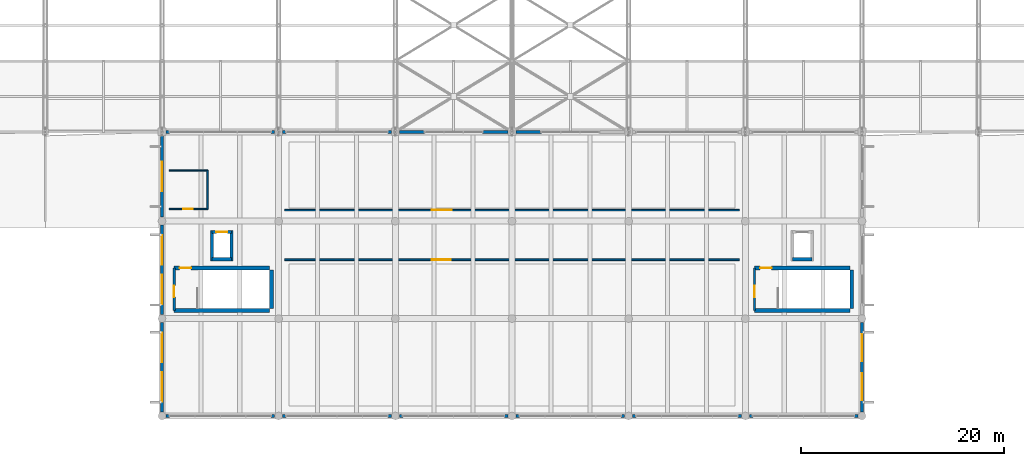
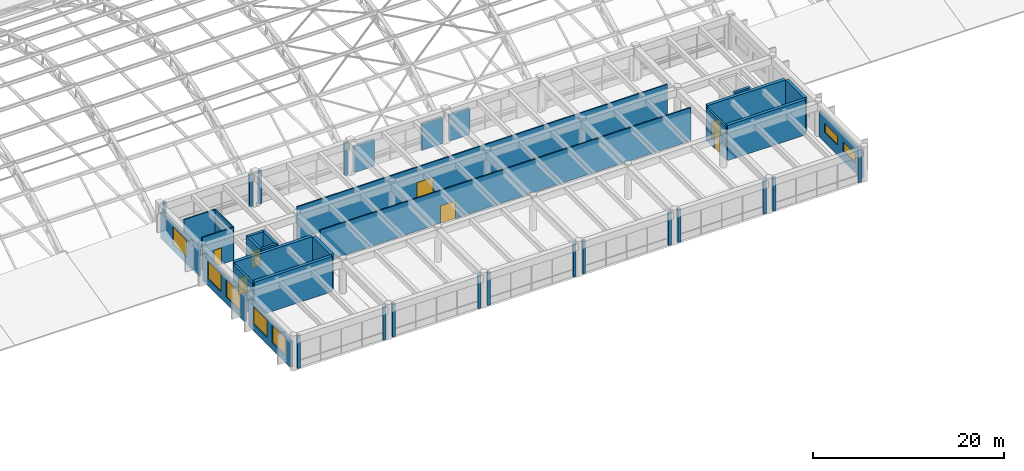
# One storey, part 135 of 154: 41 walls, 8 doors, 7 windows, 15 openings.
"""IFC4 building model written with IfcOpenShell, lengths in metres."""

from ifc_helpers import new_model, si_unit, direction, frame, frame_2d, origin, place, context, subcontext, project, spatial, rectangle, extrude, material, layer, layer_set, type_object, element, fill, save


model = new_model("IFC4")

# Units and contexts
model_context = context("Model", 3, precision=1e-05, world=origin(), true_north=direction((0.0, 1.0)))
body_context = subcontext(model_context, "Body", "Model", "MODEL_VIEW")
ifc_project = project(units=[si_unit("LENGTHUNIT", "METRE"), si_unit("AREAUNIT", "SQUARE_METRE"), si_unit("VOLUMEUNIT", "CUBIC_METRE"), si_unit("PLANEANGLEUNIT", "RADIAN"), si_unit("MASSUNIT", "GRAM", prefix="KILO")], contexts=[model_context])

# Site, building, storey
site_placement = place(None, origin())
site = spatial("IfcSite", under=ifc_project, at=site_placement, CompositionType="ELEMENT")
building_placement = place(site_placement, origin())
building = spatial("IfcBuilding", under=site, at=building_placement, Name="Ologun Quay Terminus", CompositionType="ELEMENT")
storey_placement = place(building_placement, frame((0.0, 0.0, 13.800048828125)))
storey = spatial("IfcBuildingStorey", under=building, at=storey_placement, Name="L03", CompositionType="ELEMENT", Elevation=13.800048828125)

# Wall, opening, door
ifc_material_1 = material(Name="Gypsum Acoustic Stud")
ifc_layer_1 = layer(ifc_material_1, 0.14990234375)
ifc_layer_set_1 = layer_set([ifc_layer_1], Name="Gypsum Acoustic Stud")
wall_type_1 = type_object("IfcWallType", Name="Community & Reading Room Partition 150", PredefinedType="PARTITIONING", material=ifc_layer_set_1)
wall_1_placement = place(storey_placement, frame((69.60009765625, 23.39990234375, 0.0), z_axis=(0.0, 0.0, 1.0), x_axis=(1.0, 0.0, 0.0)))
wall_1 = element("IfcWall", 1, at=wall_1_placement, inside=storey, type_object=wall_type_1, Name="PW-05 Partition L03-ReadingRoom-N", PredefinedType="PARTITIONING", context=body_context, shape_type="SweptSolid", body=[
    extrude(rectangle(XDim=44.7998046875, YDim=0.14990234375, at=frame_2d((22.39990234375, 0.0))), origin(), (0.0, 0.0, 1.0), 4.219970703125),
])
opening_1_placement = place(wall_1_placement, frame((14.5, 0.0, 0.0)))
opening_1 = element("IfcOpeningElement", 2, at=opening_1_placement, cuts=wall_1, Name="Opening ID-323", PredefinedType="OPENING", context=body_context, shape_type="SweptSolid", body=[
    extrude(rectangle(XDim=1.85009765625, YDim=2.25, at=frame_2d((0.925048828125, 1.125))), frame((0.0, 0.0849609375, 0.0), z_axis=(0.0, -1.0, 0.0), x_axis=(1.0, 0.0, 0.0)), (0.0, 0.0, 1.0), 0.169921875),
])
ifc_material_2 = material(Name="Glass", Category="glass")
door_type_1 = type_object("IfcDoorType", Name="Reading Room Glazed Pair 1850x2250", OperationType="DOUBLE_DOOR_SINGLE_SWING", PredefinedType="DOOR", material=ifc_material_2)
door_1_placement = place(opening_1_placement, origin())
door_1 = element("IfcDoor", 3, at=door_1_placement, inside=storey, type_object=door_type_1, Name="ID-11 Door ID-323", OperationType="DOUBLE_DOOR_SINGLE_SWING", OverallHeight=2.25, OverallWidth=1.85009765625, PredefinedType="DOOR", context=body_context, shape_type="SweptSolid", body=[
    extrude(rectangle(XDim=1.85009765625, YDim=2.25, at=frame_2d((0.925048828125, 1.125))), frame((0.0, 0.02490234375, 0.0), z_axis=(0.0, -1.0, 0.0), x_axis=(1.0, 0.0, 0.0)), (0.0, 0.0, 1.0), 0.050048828125),
])
fill(opening_1, door_1)

wall_2_placement = place(storey_placement, frame((69.60009765625, 28.300048828125, 0.0), z_axis=(0.0, 0.0, 1.0), x_axis=(1.0, 0.0, 0.0)))
wall_2 = element("IfcWall", 4, at=wall_2_placement, inside=storey, type_object=wall_type_1, Name="PW-05 Partition L03-LectureRoom-S", PredefinedType="PARTITIONING", context=body_context, shape_type="SweptSolid", body=[
    extrude(rectangle(XDim=44.7998046875, YDim=0.14990234375, at=frame_2d((22.39990234375, 0.0))), origin(), (0.0, 0.0, 1.0), 4.219970703125),
])
opening_2_placement = place(wall_2_placement, frame((14.5, 0.0, 0.0)))
opening_2 = element("IfcOpeningElement", 5, at=opening_2_placement, cuts=wall_2, Name="Opening ID-324", PredefinedType="OPENING", context=body_context, shape_type="SweptSolid", body=[
    extrude(rectangle(XDim=1.949951171875, YDim=2.25, at=frame_2d((0.97509765625, 1.125))), frame((0.0, 0.0849609375, 0.0), z_axis=(0.0, -1.0, 0.0), x_axis=(1.0, 0.0, 0.0)), (0.0, 0.0, 1.0), 0.169921875),
])
ifc_material_3 = material(Name="Timber Hardwood", Category="wood")
door_type_2 = type_object("IfcDoorType", Name="Lecture Room Acoustic Pair 1950x2250", OperationType="DOUBLE_DOOR_SINGLE_SWING", PredefinedType="DOOR", material=ifc_material_3)
door_2_placement = place(opening_2_placement, origin())
door_2 = element("IfcDoor", 6, at=door_2_placement, inside=storey, type_object=door_type_2, Name="ID-12 Door ID-324", OperationType="DOUBLE_DOOR_SINGLE_SWING", OverallHeight=2.25, OverallWidth=1.949951171875, PredefinedType="DOOR", context=body_context, shape_type="SweptSolid", body=[
    extrude(rectangle(XDim=1.949951171875, YDim=2.25, at=frame_2d((0.97509765625, 1.125))), frame((0.0, 0.02490234375, 0.0), z_axis=(0.0, -1.0, 0.0), x_axis=(1.0, 0.0, 0.0)), (0.0, 0.0, 1.0), 0.050048828125),
])
fill(opening_2, door_2)

# Walls
ifc_material_4 = material(Name="Concrete C40/50", Category="concrete")
ifc_layer_2 = layer(ifc_material_4, 0.280029296875)
ifc_layer_set_2 = layer_set([ifc_layer_2], Name="Concrete C40/50")
wall_type_2 = type_object("IfcWallType", Name="Courtyard Wing Spandrel Concrete Wall 280", PredefinedType="SOLIDWALL", material=ifc_layer_set_2)
for number, where, z_axis, x_axis, name in (
    (7, (57.89501953125, 8.0, 0.0), (0.0, 0.0, 1.0), (1.0, 0.0, 0.0), "Curtain Wall Jamb Pier CW-L03-034-J1"),
    (8, (68.2548828125, 8.0, 0.0), (0.0, 0.0, 1.0), (1.0, 0.0, 0.0), "Curtain Wall Jamb Pier CW-L03-034-J2"),
    (9, (69.39501953125, 8.0, 0.0), (0.0, 0.0, 1.0), (1.0, 0.0, 0.0), "Curtain Wall Jamb Pier CW-L03-035-J1"),
    (10, (79.7548828125, 8.0, 0.0), (0.0, 0.0, 1.0), (1.0, 0.0, 0.0), "Curtain Wall Jamb Pier CW-L03-035-J2"),
    (11, (80.89501953125, 8.0, 0.0), (0.0, 0.0, 1.0), (1.0, 0.0, 0.0), "Curtain Wall Jamb Pier CW-L03-036-J1"),
    (12, (91.2548828125, 8.0, 0.0), (0.0, 0.0, 1.0), (1.0, 0.0, 0.0), "Curtain Wall Jamb Pier CW-L03-036-J2"),
    (13, (92.39501953125, 8.0, 0.0), (0.0, 0.0, 1.0), (1.0, 0.0, 0.0), "Curtain Wall Jamb Pier CW-L03-037-J1"),
    (14, (102.7548828125, 8.0, 0.0), (0.0, 0.0, 1.0), (1.0, 0.0, 0.0), "Curtain Wall Jamb Pier CW-L03-037-J2"),
    (15, (103.89501953125, 8.0, 0.0), (0.0, 0.0, 1.0), (1.0, 0.0, 0.0), "Curtain Wall Jamb Pier CW-L03-038-J1"),
    (16, (114.2548828125, 8.0, 0.0), (0.0, 0.0, 1.0), (1.0, 0.0, 0.0), "Curtain Wall Jamb Pier CW-L03-038-J2"),
    (17, (115.39501953125, 8.0, 0.0), (0.0, 0.0, 1.0), (1.0, 0.0, 0.0), "Curtain Wall Jamb Pier CW-L03-039-J1"),
    (18, (125.7548828125, 8.0, 0.0), (0.0, 0.0, 1.0), (1.0, 0.0, 0.0), "Curtain Wall Jamb Pier CW-L03-039-J2"),
):
    element("IfcWall", number, at=place(storey_placement, frame(where, z_axis=z_axis, x_axis=x_axis)), inside=storey, type_object=wall_type_2, Name=name, PredefinedType="SOLIDWALL", context=body_context, shape_type="SweptSolid", body=[
        extrude(rectangle(XDim=0.35009765625, YDim=0.280029296875, at=frame_2d((0.175048828125, 0.0))), origin(), (0.0, 0.0, 1.0), 4.239990234375),
    ])

# Wall, openings, windows
wall_3_placement = place(storey_placement, frame((126.5, 8.39501953125, 0.0), z_axis=(0.0, 0.0, 1.0), x_axis=(0.0, 1.0, 0.0)))
wall_3 = element("IfcWall", 19, at=wall_3_placement, inside=storey, type_object=wall_type_2, Name="EW-02 Facade Wall WEW-SA-L03-1-7", PredefinedType="SOLIDWALL", context=body_context, shape_type="SweptSolid", body=[
    extrude(rectangle(XDim=8.81005859375, YDim=0.280029296875, at=frame_2d((4.405029296875, 0.0))), origin(), (0.0, 0.0, 1.0), 3.349853515625),
])
opening_3_placement = place(wall_3_placement, frame((1.169921875, 0.0, 1.25)))
opening_3 = element("IfcOpeningElement", 20, at=opening_3_placement, cuts=wall_3, Name="Opening WN-093", PredefinedType="OPENING", context=body_context, shape_type="SweptSolid", body=[
    extrude(rectangle(XDim=2.64990234375, YDim=1.14990234375, at=frame_2d((1.324951171875, 0.574951171875))), frame((0.0, 0.14990234375, 0.0), z_axis=(0.0, -1.0, 0.0), x_axis=(1.0, 0.0, 0.0)), (0.0, 0.0, 1.0), 0.300048828125),
])
opening_4_placement = place(wall_3_placement, frame((4.989990234375, 0.0, 1.25)))
opening_4 = element("IfcOpeningElement", 21, at=opening_4_placement, cuts=wall_3, Name="Opening WN-094", PredefinedType="OPENING", context=body_context, shape_type="SweptSolid", body=[
    extrude(rectangle(XDim=2.64990234375, YDim=1.14990234375, at=frame_2d((1.324951171875, 0.574951171875))), frame((0.0, 0.14990234375, 0.0), z_axis=(0.0, -1.0, 0.0), x_axis=(1.0, 0.0, 0.0)), (0.0, 0.0, 1.0), 0.300048828125),
])
ifc_material_5 = material(Name="Glass", Category="glass")
window_type_1 = type_object("IfcWindowType", Name="Lecture Room Acoustic Clerestory 2650x1150", PartitioningType="SINGLE_PANEL", PredefinedType="LIGHTDOME", material=ifc_material_5)
window_1_placement = place(opening_3_placement, origin())
window_1 = element("IfcWindow", 22, at=window_1_placement, inside=storey, type_object=window_type_1, Name="W-28 Window WN-093", OverallHeight=1.14990234375, OverallWidth=2.64990234375, PartitioningType="SINGLE_PANEL", PredefinedType="LIGHTDOME", context=body_context, shape_type="SweptSolid", body=[
    extrude(rectangle(XDim=2.64990234375, YDim=1.14990234375, at=frame_2d((1.324951171875, 0.574951171875))), frame((0.0, 0.030029296875, 0.0), z_axis=(0.0, -1.0, 0.0), x_axis=(1.0, 0.0, 0.0)), (0.0, 0.0, 1.0), 0.06005859375),
])
fill(opening_3, window_1)
window_2_placement = place(opening_4_placement, origin())
window_2 = element("IfcWindow", 23, at=window_2_placement, inside=storey, type_object=window_type_1, Name="W-28 Window WN-094", OverallHeight=1.14990234375, OverallWidth=2.64990234375, PartitioningType="SINGLE_PANEL", PredefinedType="LIGHTDOME", context=body_context, shape_type="SweptSolid", body=[
    extrude(rectangle(XDim=2.64990234375, YDim=1.14990234375, at=frame_2d((1.324951171875, 0.574951171875))), frame((0.0, 0.030029296875, 0.0), z_axis=(0.0, -1.0, 0.0), x_axis=(1.0, 0.0, 0.0)), (0.0, 0.0, 1.0), 0.06005859375),
])
fill(opening_4, window_2)

# Walls
for number, where, z_axis, x_axis, name in (
    (24, (57.89501953125, 36.0, 0.0), (0.0, 0.0, 1.0), (1.0, 0.0, 0.0), "Curtain Wall Jamb Pier CW-L03-040-J1"),
    (25, (68.2548828125, 36.0, 0.0), (0.0, 0.0, 1.0), (1.0, 0.0, 0.0), "Curtain Wall Jamb Pier CW-L03-040-J2"),
    (26, (69.39501953125, 36.0, 0.0), (0.0, 0.0, 1.0), (1.0, 0.0, 0.0), "Curtain Wall Jamb Pier CW-L03-041-J1"),
    (27, (79.7548828125, 36.0, 0.0), (0.0, 0.0, 1.0), (1.0, 0.0, 0.0), "Curtain Wall Jamb Pier CW-L03-041-J2"),
):
    element("IfcWall", number, at=place(storey_placement, frame(where, z_axis=z_axis, x_axis=x_axis)), inside=storey, type_object=wall_type_2, Name=name, PredefinedType="SOLIDWALL", context=body_context, shape_type="SweptSolid", body=[
        extrude(rectangle(XDim=0.35009765625, YDim=0.280029296875, at=frame_2d((0.175048828125, 0.0))), origin(), (0.0, 0.0, 1.0), 4.239990234375),
    ])
for number, where, z_axis, x_axis, name in (
    (28, (80.89501953125, 36.0, 0.0), (0.0, 0.0, 1.0), (1.0, 0.0, 0.0), "Curtain Wall Jamb Pier CW-L03-042-J1"),
    (29, (89.10498046875, 36.0, 0.0), (0.0, 0.0, 1.0), (1.0, 0.0, 0.0), "Curtain Wall Jamb Pier CW-L03-042-J2"),
    (30, (92.39501953125, 36.0, 0.0), (0.0, 0.0, 1.0), (1.0, 0.0, 0.0), "Curtain Wall Jamb Pier CW-L03-043-J1"),
):
    element("IfcWall", number, at=place(storey_placement, frame(where, z_axis=z_axis, x_axis=x_axis)), inside=storey, type_object=wall_type_2, Name=name, PredefinedType="SOLIDWALL", context=body_context, shape_type="SweptSolid", body=[
        extrude(rectangle(XDim=2.5, YDim=0.280029296875, at=frame_2d((1.25, 0.0))), origin(), (0.0, 0.0, 1.0), 3.349853515625),
    ])

# Wall, openings, windows
wall_4_placement = place(storey_placement, frame((57.5, 8.39501953125, 0.0), z_axis=(0.0, 0.0, 1.0), x_axis=(0.0, 1.0, 0.0)))
wall_4 = element("IfcWall", 31, at=wall_4_placement, inside=storey, type_object=wall_type_2, Name="EW-02 Facade Wall WEW-SA-L03-1-16", PredefinedType="SOLIDWALL", context=body_context, shape_type="SweptSolid", body=[
    extrude(rectangle(XDim=8.81005859375, YDim=0.280029296875, at=frame_2d((4.405029296875, 0.0))), origin(), (0.0, 0.0, 1.0), 3.349853515625),
])
opening_5_placement = place(wall_4_placement, frame((1.00341796875, 0.0, 0.85009765625)))
opening_5 = element("IfcOpeningElement", 32, at=opening_5_placement, cuts=wall_4, Name="Opening WN-099", PredefinedType="OPENING", context=body_context, shape_type="SweptSolid", body=[
    extrude(rectangle(XDim=2.89990234375, YDim=2.25, at=frame_2d((1.449951171875, 1.125))), frame((0.0, 0.14990234375, 0.0), z_axis=(0.0, -1.0, 0.0), x_axis=(1.0, 0.0, 0.0)), (0.0, 0.0, 1.0), 0.300048828125),
])
opening_6_placement = place(wall_4_placement, frame((4.90673828125, 0.0, 0.85009765625)))
opening_6 = element("IfcOpeningElement", 33, at=opening_6_placement, cuts=wall_4, Name="Opening WN-100", PredefinedType="OPENING", context=body_context, shape_type="SweptSolid", body=[
    extrude(rectangle(XDim=2.89990234375, YDim=2.25, at=frame_2d((1.449951171875, 1.125))), frame((0.0, 0.14990234375, 0.0), z_axis=(0.0, -1.0, 0.0), x_axis=(1.0, 0.0, 0.0)), (0.0, 0.0, 1.0), 0.300048828125),
])
ifc_material_6 = material(Name="Glass", Category="glass")
window_type_2 = type_object("IfcWindowType", Name="Reading Room Northlight Window 2900x2250", PartitioningType="SINGLE_PANEL", PredefinedType="WINDOW", material=ifc_material_6)
window_3_placement = place(opening_5_placement, origin())
window_3 = element("IfcWindow", 34, at=window_3_placement, inside=storey, type_object=window_type_2, Name="W-27 Window WN-099", OverallHeight=2.25, OverallWidth=2.89990234375, PartitioningType="SINGLE_PANEL", PredefinedType="WINDOW", context=body_context, shape_type="SweptSolid", body=[
    extrude(rectangle(XDim=2.89990234375, YDim=2.25, at=frame_2d((1.449951171875, 1.125))), frame((0.0, 0.030029296875, 0.0), z_axis=(0.0, -1.0, 0.0), x_axis=(1.0, 0.0, 0.0)), (0.0, 0.0, 1.0), 0.06005859375),
])
fill(opening_5, window_3)
window_4_placement = place(opening_6_placement, origin())
window_4 = element("IfcWindow", 35, at=window_4_placement, inside=storey, type_object=window_type_2, Name="W-27 Window WN-100", OverallHeight=2.25, OverallWidth=2.89990234375, PartitioningType="SINGLE_PANEL", PredefinedType="WINDOW", context=body_context, shape_type="SweptSolid", body=[
    extrude(rectangle(XDim=2.89990234375, YDim=2.25, at=frame_2d((1.449951171875, 1.125))), frame((0.0, 0.030029296875, 0.0), z_axis=(0.0, -1.0, 0.0), x_axis=(1.0, 0.0, 0.0)), (0.0, 0.0, 1.0), 0.06005859375),
])
fill(opening_6, window_4)

wall_5_placement = place(storey_placement, frame((57.5, 17.9951171875, 0.0), z_axis=(0.0, 0.0, 1.0), x_axis=(0.0, 1.0, 0.0)))
wall_5 = element("IfcWall", 36, at=wall_5_placement, inside=storey, type_object=wall_type_2, Name="EW-02 Facade Wall WEW-SA-L03-1-17", PredefinedType="SOLIDWALL", context=body_context, shape_type="SweptSolid", body=[
    extrude(rectangle(XDim=8.809814453125, YDim=0.280029296875, at=frame_2d((4.40478515625, 0.0))), origin(), (0.0, 0.0, 1.0), 3.349853515625),
])
opening_7_placement = place(wall_5_placement, frame((1.00341796875, 0.0, 0.85009765625)))
opening_7 = element("IfcOpeningElement", 37, at=opening_7_placement, cuts=wall_5, Name="Opening WN-101", PredefinedType="OPENING", context=body_context, shape_type="SweptSolid", body=[
    extrude(rectangle(XDim=2.89990234375, YDim=2.25, at=frame_2d((1.449951171875, 1.125))), frame((0.0, 0.14990234375, 0.0), z_axis=(0.0, -1.0, 0.0), x_axis=(1.0, 0.0, 0.0)), (0.0, 0.0, 1.0), 0.300048828125),
])
opening_8_placement = place(wall_5_placement, frame((4.90673828125, 0.0, 0.85009765625)))
opening_8 = element("IfcOpeningElement", 38, at=opening_8_placement, cuts=wall_5, Name="Opening WN-102", PredefinedType="OPENING", context=body_context, shape_type="SweptSolid", body=[
    extrude(rectangle(XDim=2.89990234375, YDim=2.25, at=frame_2d((1.449951171875, 1.125))), frame((0.0, 0.14990234375, 0.0), z_axis=(0.0, -1.0, 0.0), x_axis=(1.0, 0.0, 0.0)), (0.0, 0.0, 1.0), 0.300048828125),
])
window_5_placement = place(opening_7_placement, origin())
window_5 = element("IfcWindow", 39, at=window_5_placement, inside=storey, type_object=window_type_2, Name="W-27 Window WN-101", OverallHeight=2.25, OverallWidth=2.89990234375, PartitioningType="SINGLE_PANEL", PredefinedType="WINDOW", context=body_context, shape_type="SweptSolid", body=[
    extrude(rectangle(XDim=2.89990234375, YDim=2.25, at=frame_2d((1.449951171875, 1.125))), frame((0.0, 0.030029296875, 0.0), z_axis=(0.0, -1.0, 0.0), x_axis=(1.0, 0.0, 0.0)), (0.0, 0.0, 1.0), 0.06005859375),
])
fill(opening_7, window_5)
window_6_placement = place(opening_8_placement, origin())
window_6 = element("IfcWindow", 40, at=window_6_placement, inside=storey, type_object=window_type_2, Name="W-27 Window WN-102", OverallHeight=2.25, OverallWidth=2.89990234375, PartitioningType="SINGLE_PANEL", PredefinedType="WINDOW", context=body_context, shape_type="SweptSolid", body=[
    extrude(rectangle(XDim=2.89990234375, YDim=2.25, at=frame_2d((1.449951171875, 1.125))), frame((0.0, 0.030029296875, 0.0), z_axis=(0.0, -1.0, 0.0), x_axis=(1.0, 0.0, 0.0)), (0.0, 0.0, 1.0), 0.06005859375),
])
fill(opening_8, window_6)

# Wall, opening, window
wall_6_placement = place(storey_placement, frame((57.5, 27.594970703125, 0.0), z_axis=(0.0, 0.0, 1.0), x_axis=(0.0, 1.0, 0.0)))
wall_6 = element("IfcWall", 41, at=wall_6_placement, inside=storey, type_object=wall_type_2, Name="EW-02 Facade Wall WEW-SA-L03-1-18", PredefinedType="SOLIDWALL", context=body_context, shape_type="SweptSolid", body=[
    extrude(rectangle(XDim=8.010009765625, YDim=0.280029296875, at=frame_2d((4.0048828125, 0.0))), origin(), (0.0, 0.0, 1.0), 3.349853515625),
])
opening_9_placement = place(wall_6_placement, frame((2.554931640625, 0.0, 0.85009765625)))
opening_9 = element("IfcOpeningElement", 42, at=opening_9_placement, cuts=wall_6, Name="Opening WN-103", PredefinedType="OPENING", context=body_context, shape_type="SweptSolid", body=[
    extrude(rectangle(XDim=2.89990234375, YDim=2.25, at=frame_2d((1.449951171875, 1.125))), frame((0.0, 0.14990234375, 0.0), z_axis=(0.0, -1.0, 0.0), x_axis=(1.0, 0.0, 0.0)), (0.0, 0.0, 1.0), 0.300048828125),
])
window_7_placement = place(opening_9_placement, origin())
window_7 = element("IfcWindow", 43, at=window_7_placement, inside=storey, type_object=window_type_2, Name="W-27 Window WN-103", OverallHeight=2.25, OverallWidth=2.89990234375, PartitioningType="SINGLE_PANEL", PredefinedType="WINDOW", context=body_context, shape_type="SweptSolid", body=[
    extrude(rectangle(XDim=2.89990234375, YDim=2.25, at=frame_2d((1.449951171875, 1.125))), frame((0.0, 0.030029296875, 0.0), z_axis=(0.0, -1.0, 0.0), x_axis=(1.0, 0.0, 0.0)), (0.0, 0.0, 1.0), 0.06005859375),
])
fill(opening_9, window_7)

# Wall, opening, door
ifc_material_7 = material(Name="Concrete C40/50", Category="concrete")
ifc_layer_3 = layer(ifc_material_7, 0.239990234375)
ifc_layer_set_3 = layer_set([ifc_layer_3], Name="Concrete C40/50")
wall_type_3 = type_object("IfcWallType", Name="Fire Compartment Blockwork Wall 240", PredefinedType="SOLIDWALL", material=ifc_layer_set_3)
wall_7_placement = place(storey_placement, frame((58.699951171875, 18.419921875, 0.0), z_axis=(0.0, 0.0, 1.0), x_axis=(0.0, 1.0, 0.0)))
wall_7 = element("IfcWall", 44, at=wall_7_placement, inside=storey, type_object=wall_type_3, Name="PW-01 Partition ST-S3-W", PredefinedType="SOLIDWALL", context=body_context, shape_type="SweptSolid", body=[
    extrude(rectangle(XDim=4.16015625, YDim=0.239990234375, at=frame_2d((2.080078125, 0.0))), origin(), (0.0, 0.0, 1.0), 4.219970703125),
])
opening_10_placement = place(wall_7_placement, frame((1.300048828125, 0.0, 0.0)))
opening_10 = element("IfcOpeningElement", 45, at=opening_10_placement, cuts=wall_7, Name="Opening ID-259", PredefinedType="OPENING", context=body_context, shape_type="SweptSolid", body=[
    extrude(rectangle(XDim=1.1298828125, YDim=2.14990234375, at=frame_2d((0.56494140625, 1.074951171875))), frame((0.0, 0.1298828125, 0.0), z_axis=(0.0, -1.0, 0.0), x_axis=(1.0, 0.0, 0.0)), (0.0, 0.0, 1.0), 0.260009765625),
])
ifc_material_8 = material(Name="Steel S355", Category="steel")
door_type_3 = type_object("IfcDoorType", Name="Stairwell Fire Escape Door 1130x2150", OperationType="SINGLE_SWING_LEFT", PredefinedType="DOOR", material=ifc_material_8)
door_3_placement = place(opening_10_placement, frame((0.56494140625, 0.0, 0.0), z_axis=(0.0, 0.0, 1.0), x_axis=(-1.0, 0.0, 0.0)))
door_3 = element("IfcDoor", 46, at=door_3_placement, inside=storey, type_object=door_type_3, Name="FD-01 Door ID-259", OperationType="SINGLE_SWING_LEFT", OverallHeight=2.14990234375, OverallWidth=1.1298828125, PredefinedType="DOOR", context=body_context, shape_type="SweptSolid", body=[
    extrude(rectangle(XDim=1.1298828125, YDim=2.14990234375, at=frame_2d((0.0, 1.074951171875))), frame((0.0, 0.02490234375, 0.0), z_axis=(0.0, -1.0, 0.0), x_axis=(1.0, 0.0, 0.0)), (0.0, 0.0, 1.0), 0.050048828125),
])
fill(opening_10, door_3)

wall_8_placement = place(storey_placement, frame((115.89990234375, 18.419921875, 0.0), z_axis=(0.0, 0.0, 1.0), x_axis=(0.0, 1.0, 0.0)))
wall_8 = element("IfcWall", 47, at=wall_8_placement, inside=storey, type_object=wall_type_3, Name="PW-01 Partition ST-S4-W", PredefinedType="SOLIDWALL", context=body_context, shape_type="SweptSolid", body=[
    extrude(rectangle(XDim=4.16015625, YDim=0.239990234375, at=frame_2d((2.080078125, 0.0))), origin(), (0.0, 0.0, 1.0), 4.219970703125),
])
opening_11_placement = place(wall_8_placement, frame((1.300048828125, 0.0, 0.0)))
opening_11 = element("IfcOpeningElement", 48, at=opening_11_placement, cuts=wall_8, Name="Opening ID-272", PredefinedType="OPENING", context=body_context, shape_type="SweptSolid", body=[
    extrude(rectangle(XDim=1.1298828125, YDim=2.14990234375, at=frame_2d((0.56494140625, 1.074951171875))), frame((0.0, 0.1298828125, 0.0), z_axis=(0.0, -1.0, 0.0), x_axis=(1.0, 0.0, 0.0)), (0.0, 0.0, 1.0), 0.260009765625),
])
door_4_placement = place(opening_11_placement, frame((0.56494140625, 0.0, 0.0), z_axis=(0.0, 0.0, 1.0), x_axis=(-1.0, 0.0, 0.0)))
door_4 = element("IfcDoor", 49, at=door_4_placement, inside=storey, type_object=door_type_3, Name="FD-01 Door ID-272", OperationType="SINGLE_SWING_LEFT", OverallHeight=2.14990234375, OverallWidth=1.1298828125, PredefinedType="DOOR", context=body_context, shape_type="SweptSolid", body=[
    extrude(rectangle(XDim=1.1298828125, YDim=2.14990234375, at=frame_2d((0.0, 1.074951171875))), frame((0.0, 0.02490234375, 0.0), z_axis=(0.0, -1.0, 0.0), x_axis=(1.0, 0.0, 0.0)), (0.0, 0.0, 1.0), 0.050048828125),
])
fill(opening_11, door_4)

# Wall
ifc_material_9 = material(Name="Concrete C40/50", Category="concrete")
ifc_layer_4 = layer(ifc_material_9, 0.300048828125)
ifc_layer_set_4 = layer_set([ifc_layer_4], Name="Concrete C40/50")
wall_type_4 = type_object("IfcWallType", Name="Lift Shaft Structural Shear Wall 300", PredefinedType="SHEAR", material=ifc_layer_set_4)
wall_9_placement = place(storey_placement, frame((62.449951171875, 23.449951171875, 0.0), z_axis=(0.0, 0.0, 1.0), x_axis=(1.0, 0.0, 0.0)))
element("IfcWall", 50, at=wall_9_placement, inside=storey, type_object=wall_type_4, Name="Lift PL-S1 Shaft Wall S L03", PredefinedType="SHEAR", context=body_context, shape_type="SweptSolid", body=[
    extrude(rectangle(XDim=1.900146484375, YDim=0.300048828125, at=frame_2d((0.9501953125, 0.0))), origin(), (0.0, 0.0, 1.0), 4.300048828125),
])

# Wall, opening, door
wall_10_placement = place(storey_placement, frame((62.449951171875, 26.14990234375, 0.0), z_axis=(0.0, 0.0, 1.0), x_axis=(1.0, 0.0, 0.0)))
wall_10 = element("IfcWall", 51, at=wall_10_placement, inside=storey, type_object=wall_type_4, Name="Lift PL-S1 Shaft Wall N L03", PredefinedType="SHEAR", context=body_context, shape_type="SweptSolid", body=[
    extrude(rectangle(XDim=1.900146484375, YDim=0.300048828125, at=frame_2d((0.9501953125, 0.0))), origin(), (0.0, 0.0, 1.0), 4.300048828125),
])
opening_12_placement = place(wall_10_placement, frame((0.39990234375, 0.0, 0.0)))
opening_12 = element("IfcOpeningElement", 52, at=opening_12_placement, cuts=wall_10, Name="Opening ID-051", PredefinedType="OPENING", context=body_context, shape_type="SweptSolid", body=[
    extrude(rectangle(XDim=1.10009765625, YDim=2.14990234375, at=frame_2d((0.550048828125, 1.074951171875))), frame((0.0, 0.16015625, 0.0), z_axis=(0.0, -1.0, 0.0), x_axis=(1.0, 0.0, 0.0)), (0.0, 0.0, 1.0), 0.320068359375),
])
ifc_material_10 = material(Name="Steel S355", Category="steel")
door_type_4 = type_object("IfcDoorType", Name="Lift Landing Sliding Door 1100x2150", OperationType="SLIDING_TO_LEFT", PredefinedType="DOOR", material=ifc_material_10)
door_5_placement = place(opening_12_placement, origin())
door_5 = element("IfcDoor", 53, at=door_5_placement, inside=storey, type_object=door_type_4, Name="LD-01 Door ID-051", OperationType="SLIDING_TO_LEFT", OverallHeight=2.14990234375, OverallWidth=1.10009765625, PredefinedType="DOOR", context=body_context, shape_type="SweptSolid", body=[
    extrude(rectangle(XDim=1.10009765625, YDim=2.14990234375, at=frame_2d((0.550048828125, 1.074951171875))), frame((0.0, 0.02490234375, 0.0), z_axis=(0.0, -1.0, 0.0), x_axis=(1.0, 0.0, 0.0)), (0.0, 0.0, 1.0), 0.050048828125),
])
fill(opening_12, door_5)

# Walls
for number, where, z_axis, x_axis, name in (
    (54, (62.449951171875, 23.300048828125, 0.0), (0.0, 0.0, 1.0), (0.0, 1.0, 0.0), "Lift PL-S1 Shaft Wall W L03"),
    (55, (64.35009765625, 23.300048828125, 0.0), (0.0, 0.0, 1.0), (0.0, 1.0, 0.0), "Lift PL-S1 Shaft Wall E L03"),
):
    element("IfcWall", number, at=place(storey_placement, frame(where, z_axis=z_axis, x_axis=x_axis)), inside=storey, type_object=wall_type_4, Name=name, PredefinedType="SHEAR", context=body_context, shape_type="SweptSolid", body=[
        extrude(rectangle(XDim=3.0, YDim=0.300048828125, at=frame_2d((1.5, 0.0))), origin(), (0.0, 0.0, 1.0), 4.300048828125),
    ])
wall_11_placement = place(storey_placement, frame((119.64990234375, 23.449951171875, 0.0), z_axis=(0.0, 0.0, 1.0), x_axis=(1.0, 0.0, 0.0)))
element("IfcWall", 56, at=wall_11_placement, inside=storey, type_object=wall_type_4, Name="Lift PL-S2 Shaft Wall S L03", PredefinedType="SHEAR", context=body_context, shape_type="SweptSolid", body=[
    extrude(rectangle(XDim=1.900146484375, YDim=0.300048828125, at=frame_2d((0.9501953125, 0.0))), origin(), (0.0, 0.0, 1.0), 4.300048828125),
])
ifc_material_11 = material(Name="Concrete C40/50", Category="concrete")
ifc_layer_5 = layer(ifc_material_11, 0.3798828125)
ifc_layer_set_5 = layer_set([ifc_layer_5], Name="Concrete C40/50")
wall_type_5 = type_object("IfcWallType", Name="Platform Spine Shear Wall 380", PredefinedType="SHEAR", material=ifc_layer_set_5)
wall_12_placement = place(storey_placement, frame((58.699951171875, 18.409912109375, 0.0), z_axis=(0.0, 0.0, 1.0), x_axis=(1.0, 0.0, 0.0)))
element("IfcWall", 57, at=wall_12_placement, inside=storey, type_object=wall_type_5, Name="Station Core 3 S Shear Wall L03", PredefinedType="SHEAR", context=body_context, shape_type="SweptSolid", body=[
    extrude(rectangle(XDim=9.400146484375, YDim=0.3798828125, at=frame_2d((4.7001953125, 0.0))), origin(), (0.0, 0.0, 1.0), 4.5),
])

# Wall, opening, door
wall_13_placement = place(storey_placement, frame((58.699951171875, 22.590087890625, 0.0), z_axis=(0.0, 0.0, 1.0), x_axis=(1.0, 0.0, 0.0)))
wall_13 = element("IfcWall", 58, at=wall_13_placement, inside=storey, type_object=wall_type_5, Name="Station Core 3 N Shear Wall L03", PredefinedType="SHEAR", context=body_context, shape_type="SweptSolid", body=[
    extrude(rectangle(XDim=9.400146484375, YDim=0.3798828125, at=frame_2d((4.7001953125, 0.0))), origin(), (0.0, 0.0, 1.0), 4.5),
])
opening_13_placement = place(wall_13_placement, frame((0.550048828125, 0.0, 0.0)))
opening_13 = element("IfcOpeningElement", 59, at=opening_13_placement, cuts=wall_13, Name="Opening ID-260", PredefinedType="OPENING", context=body_context, shape_type="SweptSolid", body=[
    extrude(rectangle(XDim=1.1298828125, YDim=2.14990234375, at=frame_2d((0.56494140625, 1.074951171875))), frame((0.0, 0.199951171875, 0.0), z_axis=(0.0, -1.0, 0.0), x_axis=(1.0, 0.0, 0.0)), (0.0, 0.0, 1.0), 0.39990234375),
])
door_6_placement = place(opening_13_placement, frame((0.56494140625, 0.0, 0.0), z_axis=(0.0, 0.0, 1.0), x_axis=(-1.0, 0.0, 0.0)))
door_6 = element("IfcDoor", 60, at=door_6_placement, inside=storey, type_object=door_type_3, Name="FD-01 Door ID-260", OperationType="SINGLE_SWING_LEFT", OverallHeight=2.14990234375, OverallWidth=1.1298828125, PredefinedType="DOOR", context=body_context, shape_type="SweptSolid", body=[
    extrude(rectangle(XDim=1.1298828125, YDim=2.14990234375, at=frame_2d((0.0, 1.074951171875))), frame((0.0, 0.02490234375, 0.0), z_axis=(0.0, -1.0, 0.0), x_axis=(1.0, 0.0, 0.0)), (0.0, 0.0, 1.0), 0.050048828125),
])
fill(opening_13, door_6)

# Walls
wall_14_placement = place(storey_placement, frame((68.2900390625, 18.60009765625, 0.0), z_axis=(0.0, 0.0, 1.0), x_axis=(0.0, 1.0, 0.0)))
element("IfcWall", 61, at=wall_14_placement, inside=storey, type_object=wall_type_5, Name="Station Core 3 E Shear Wall L03", PredefinedType="SHEAR", context=body_context, shape_type="SweptSolid", body=[
    extrude(rectangle(XDim=3.7998046875, YDim=0.3798828125, at=frame_2d((1.89990234375, 0.0))), origin(), (0.0, 0.0, 1.0), 4.5),
])
wall_15_placement = place(storey_placement, frame((115.89990234375, 18.409912109375, 0.0), z_axis=(0.0, 0.0, 1.0), x_axis=(1.0, 0.0, 0.0)))
element("IfcWall", 62, at=wall_15_placement, inside=storey, type_object=wall_type_5, Name="Station Core 4 S Shear Wall L03", PredefinedType="SHEAR", context=body_context, shape_type="SweptSolid", body=[
    extrude(rectangle(XDim=9.400146484375, YDim=0.3798828125, at=frame_2d((4.7001953125, 0.0))), origin(), (0.0, 0.0, 1.0), 4.5),
])

# Wall, opening, door
wall_16_placement = place(storey_placement, frame((115.89990234375, 22.590087890625, 0.0), z_axis=(0.0, 0.0, 1.0), x_axis=(1.0, 0.0, 0.0)))
wall_16 = element("IfcWall", 63, at=wall_16_placement, inside=storey, type_object=wall_type_5, Name="Station Core 4 N Shear Wall L03", PredefinedType="SHEAR", context=body_context, shape_type="SweptSolid", body=[
    extrude(rectangle(XDim=9.400146484375, YDim=0.3798828125, at=frame_2d((4.7001953125, 0.0))), origin(), (0.0, 0.0, 1.0), 4.5),
])
opening_14_placement = place(wall_16_placement, frame((0.550048828125, 0.0, 0.0)))
opening_14 = element("IfcOpeningElement", 64, at=opening_14_placement, cuts=wall_16, Name="Opening ID-273", PredefinedType="OPENING", context=body_context, shape_type="SweptSolid", body=[
    extrude(rectangle(XDim=1.1298828125, YDim=2.14990234375, at=frame_2d((0.56494140625, 1.074951171875))), frame((0.0, 0.199951171875, 0.0), z_axis=(0.0, -1.0, 0.0), x_axis=(1.0, 0.0, 0.0)), (0.0, 0.0, 1.0), 0.39990234375),
])
door_7_placement = place(opening_14_placement, frame((0.56494140625, 0.0, 0.0), z_axis=(0.0, 0.0, 1.0), x_axis=(-1.0, 0.0, 0.0)))
door_7 = element("IfcDoor", 65, at=door_7_placement, inside=storey, type_object=door_type_3, Name="FD-01 Door ID-273", OperationType="SINGLE_SWING_LEFT", OverallHeight=2.14990234375, OverallWidth=1.1298828125, PredefinedType="DOOR", context=body_context, shape_type="SweptSolid", body=[
    extrude(rectangle(XDim=1.1298828125, YDim=2.14990234375, at=frame_2d((0.0, 1.074951171875))), frame((0.0, 0.02490234375, 0.0), z_axis=(0.0, -1.0, 0.0), x_axis=(1.0, 0.0, 0.0)), (0.0, 0.0, 1.0), 0.050048828125),
])
fill(opening_14, door_7)

# Wall
wall_17_placement = place(storey_placement, frame((125.489990234375, 18.60009765625, 0.0), z_axis=(0.0, 0.0, 1.0), x_axis=(0.0, 1.0, 0.0)))
element("IfcWall", 66, at=wall_17_placement, inside=storey, type_object=wall_type_5, Name="Station Core 4 E Shear Wall L03", PredefinedType="SHEAR", context=body_context, shape_type="SweptSolid", body=[
    extrude(rectangle(XDim=3.7998046875, YDim=0.3798828125, at=frame_2d((1.89990234375, 0.0))), origin(), (0.0, 0.0, 1.0), 4.5),
])

# Wall, opening, door
ifc_material_12 = material(Name="Concrete C40/50", Category="concrete")
ifc_layer_6 = layer(ifc_material_12, 0.139892578125)
ifc_layer_set_6 = layer_set([ifc_layer_6], Name="Concrete C40/50")
wall_type_6 = type_object("IfcWallType", Name="Sanitary Wet-Area Blockwork Wall 140", PredefinedType="PLUMBINGWALL", material=ifc_layer_set_6)
wall_18_placement = place(storey_placement, frame((58.199951171875, 28.39990234375, 0.0), z_axis=(0.0, 0.0, 1.0), x_axis=(1.0, 0.0, 0.0)))
wall_18 = element("IfcWall", 67, at=wall_18_placement, inside=storey, type_object=wall_type_6, Name="PW-06 Partition L03-SWCA-S", PredefinedType="PLUMBINGWALL", context=body_context, shape_type="SweptSolid", body=[
    extrude(rectangle(XDim=3.800048828125, YDim=0.139892578125, at=frame_2d((1.89990234375, 0.0))), origin(), (0.0, 0.0, 1.0), 4.219970703125),
])
opening_15_placement = place(wall_18_placement, frame((1.39990234375, 0.0, 0.0)))
opening_15 = element("IfcOpeningElement", 68, at=opening_15_placement, cuts=wall_18, Name="Opening ID-325", PredefinedType="OPENING", context=body_context, shape_type="SweptSolid", body=[
    extrude(rectangle(XDim=0.949951171875, YDim=2.10009765625, at=frame_2d((0.47509765625, 1.050048828125))), frame((0.0, 0.080078125, 0.0), z_axis=(0.0, -1.0, 0.0), x_axis=(1.0, 0.0, 0.0)), (0.0, 0.0, 1.0), 0.159912109375),
])
ifc_material_13 = material(Name="Timber Hardwood", Category="wood")
door_type_5 = type_object("IfcDoorType", Name="Accessible WC Outward-Swing Door 950x2100", OperationType="SINGLE_SWING_LEFT", PredefinedType="DOOR", material=ifc_material_13)
door_8_placement = place(opening_15_placement, origin())
door_8 = element("IfcDoor", 69, at=door_8_placement, inside=storey, type_object=door_type_5, Name="ID-04 Door ID-325", OperationType="SINGLE_SWING_LEFT", OverallHeight=2.10009765625, OverallWidth=0.949951171875, PredefinedType="DOOR", context=body_context, shape_type="SweptSolid", body=[
    extrude(rectangle(XDim=0.949951171875, YDim=2.10009765625, at=frame_2d((0.47509765625, 1.050048828125))), frame((0.0, 0.02490234375, 0.0), z_axis=(0.0, -1.0, 0.0), x_axis=(1.0, 0.0, 0.0)), (0.0, 0.0, 1.0), 0.050048828125),
])
fill(opening_15, door_8)

# Walls
for number, where, z_axis, x_axis, name in (
    (70, (62.0, 28.39990234375, 0.0), (0.0, 0.0, 1.0), (0.0, 1.0, 0.0), "PW-06 Partition L03-SWCA-E"),
    (71, (58.199951171875, 32.199951171875, 0.0), (0.0, 0.0, 1.0), (1.0, 0.0, 0.0), "PW-06 Partition L03-SWCA-N"),
):
    element("IfcWall", number, at=place(storey_placement, frame(where, z_axis=z_axis, x_axis=x_axis)), inside=storey, type_object=wall_type_6, Name=name, PredefinedType="PLUMBINGWALL", context=body_context, shape_type="SweptSolid", body=[
        extrude(rectangle(XDim=3.800048828125, YDim=0.139892578125, at=frame_2d((1.89990234375, 0.0))), origin(), (0.0, 0.0, 1.0), 4.219970703125),
    ])

save(model, "model.ifc")
